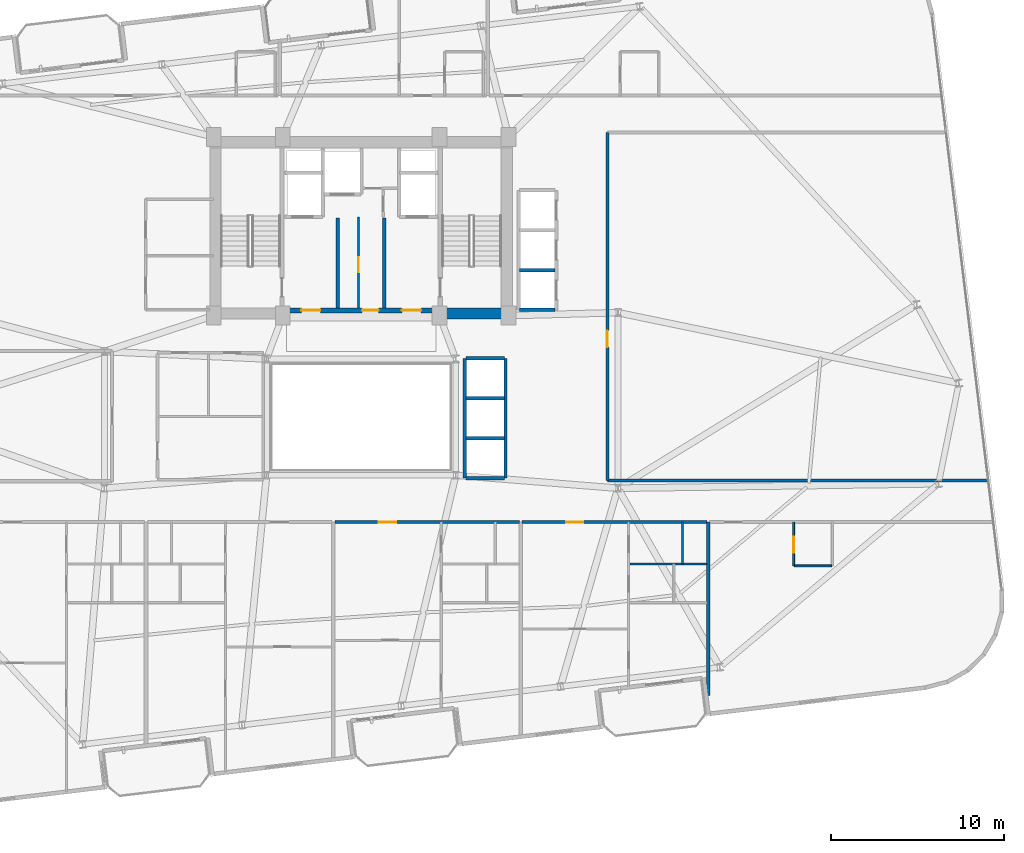
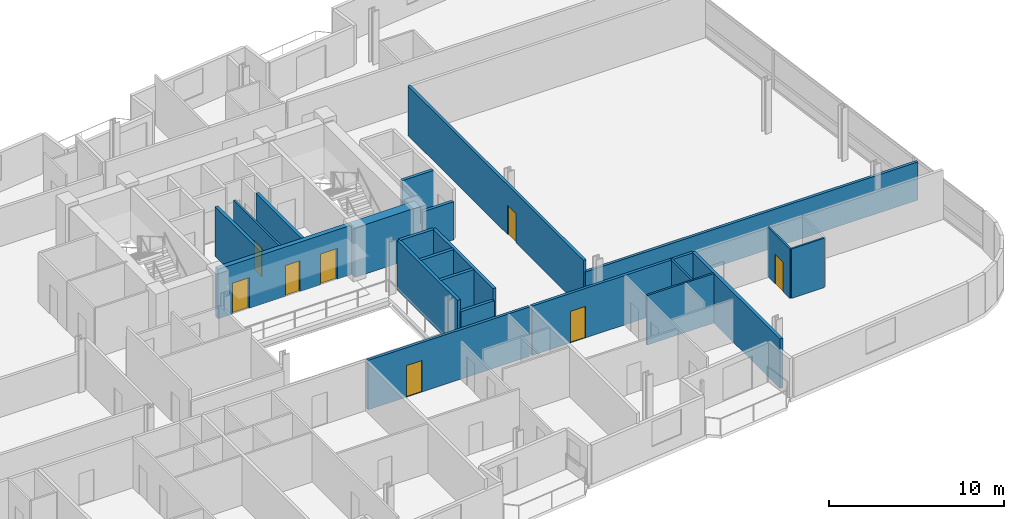
# One storey, part 16 of 23: 22 walls, 8 doors, 8 openings.
"""IFC4 building model written with IfcOpenShell, lengths in metres."""

from ifc_helpers import new_model, si_unit, direction, frame, frame_2d, origin, place, context, subcontext, project, spatial, rectangle, extrude, material, layer, layer_set, type_object, element, fill, save


model = new_model("IFC4")

# Units and contexts
model_context = context("Model", 3, precision=1e-05, world=origin(), true_north=direction((0.0, 1.0)))
body_context = subcontext(model_context, "Body", "Model", "MODEL_VIEW")
ifc_project = project(units=[si_unit("LENGTHUNIT", "METRE"), si_unit("AREAUNIT", "SQUARE_METRE"), si_unit("VOLUMEUNIT", "CUBIC_METRE"), si_unit("PLANEANGLEUNIT", "RADIAN"), si_unit("MASSUNIT", "GRAM", prefix="KILO")], contexts=[model_context])

# Site, building, storey
site_placement = place(None, origin())
site = spatial("IfcSite", under=ifc_project, at=site_placement, CompositionType="ELEMENT")
building_placement = place(site_placement, origin())
building = spatial("IfcBuilding", under=site, at=building_placement, Name="Varnelok Gate Tower", CompositionType="ELEMENT")
storey_placement = place(building_placement, frame((0.0, 0.0, 174.60009765625)))
storey = spatial("IfcBuildingStorey", under=building, at=storey_placement, Name="L44", CompositionType="ELEMENT", Elevation=174.60009765625)

# Wall, opening, door
ifc_material_1 = material(Name="Gypsum Plasterboard Acoustic Partition", Category="gypsum")
ifc_layer_1 = layer(ifc_material_1, 0.179931640625)
ifc_layer_set_1 = layer_set([ifc_layer_1], Name="Gypsum Plasterboard Acoustic Partition")
wall_type_1 = type_object("IfcWallType", Name="PW-CORR-180", PredefinedType="PARTITIONING", material=ifc_layer_set_1)
wall_1_placement = place(storey_placement, frame((37.679931640625, 16.85009765625, 0.0), z_axis=(0.0, 0.0, 1.0), x_axis=(1.0, 0.0, 0.0)))
wall_1 = element("IfcWall", 1, at=wall_1_placement, inside=storey, type_object=wall_type_1, Name="Interior Partition", PredefinedType="PARTITIONING", context=body_context, shape_type="SweptSolid", body=[
    extrude(rectangle(XDim=10.64013671875, YDim=0.179931640625, at=frame_2d((5.320068359375, 0.0))), origin(), (0.0, 0.0, 1.0), 3.449951171875),
])
opening_1_placement = place(wall_1_placement, frame((2.53466796875, 0.0, 0.0)))
opening_1 = element("IfcOpeningElement", 2, at=opening_1_placement, cuts=wall_1, Name="Opening D-AP", PredefinedType="OPENING", context=body_context, shape_type="SweptSolid", body=[
    extrude(rectangle(XDim=1.0, YDim=2.199951171875, at=frame_2d((0.5, 1.10009765625))), frame((0.0, 0.099853515625, 0.0), z_axis=(0.0, -1.0, 0.0), x_axis=(1.0, 0.0, 0.0)), (0.0, 0.0, 1.0), 0.199951171875),
])
ifc_material_2 = material(Name="Engineered Hardwood Timber", Category="wood")
door_type_1 = type_object("IfcDoorType", Name="DR-APT-1000", OperationType="NOTDEFINED", PredefinedType="DOOR", material=ifc_material_2)
door_1_placement = place(opening_1_placement, origin())
door_1 = element("IfcDoor", 3, at=door_1_placement, inside=storey, type_object=door_type_1, Name="L44 Apartment 4 Entrance Door", OperationType="SINGLE_SWING_LEFT", OverallHeight=2.199951171875, OverallWidth=1.0, PredefinedType="DOOR", context=body_context, shape_type="SweptSolid", body=[
    extrude(rectangle(XDim=1.0, YDim=2.199951171875, at=frame_2d((0.5, 1.10009765625))), frame((0.0, 0.02490234375, 0.0), z_axis=(0.0, -1.0, 0.0), x_axis=(1.0, 0.0, 0.0)), (0.0, 0.0, 1.0), 0.050048828125),
])
fill(opening_1, door_1)

wall_2_placement = place(storey_placement, frame((48.47998046875, 16.85009765625, 0.0), z_axis=(0.0, 0.0, 1.0), x_axis=(1.0, 0.0, 0.0)))
wall_2 = element("IfcWall", 4, at=wall_2_placement, inside=storey, type_object=wall_type_1, Name="Interior Partition", PredefinedType="PARTITIONING", context=body_context, shape_type="SweptSolid", body=[
    extrude(rectangle(XDim=10.64013671875, YDim=0.179931640625, at=frame_2d((5.320068359375, 0.0))), origin(), (0.0, 0.0, 1.0), 3.449951171875),
])
opening_2_placement = place(wall_2_placement, frame((2.53466796875, 0.0, 0.0)))
opening_2 = element("IfcOpeningElement", 5, at=opening_2_placement, cuts=wall_2, Name="Opening D-AP", PredefinedType="OPENING", context=body_context, shape_type="SweptSolid", body=[
    extrude(rectangle(XDim=1.0, YDim=2.199951171875, at=frame_2d((0.5, 1.10009765625))), frame((0.0, 0.099853515625, 0.0), z_axis=(0.0, -1.0, 0.0), x_axis=(1.0, 0.0, 0.0)), (0.0, 0.0, 1.0), 0.199951171875),
])
door_2_placement = place(opening_2_placement, origin())
door_2 = element("IfcDoor", 6, at=door_2_placement, inside=storey, type_object=door_type_1, Name="L44 Apartment 5 Entrance Door", OperationType="SINGLE_SWING_RIGHT", OverallHeight=2.199951171875, OverallWidth=1.0, PredefinedType="DOOR", context=body_context, shape_type="SweptSolid", body=[
    extrude(rectangle(XDim=1.0, YDim=2.199951171875, at=frame_2d((0.5, 1.10009765625))), frame((0.0, 0.02490234375, 0.0), z_axis=(0.0, -1.0, 0.0), x_axis=(1.0, 0.0, 0.0)), (0.0, 0.0, 1.0), 0.050048828125),
])
fill(opening_2, door_2)

wall_3_placement = place(storey_placement, frame((53.389892578125, 19.239990234375, 0.0), z_axis=(0.0, 0.0, 1.0), x_axis=(0.0, 1.0, 0.0)))
wall_3 = element("IfcWall", 7, at=wall_3_placement, inside=storey, type_object=wall_type_1, Name="Interior Partition", PredefinedType="PARTITIONING", context=body_context, shape_type="SweptSolid", body=[
    extrude(rectangle(XDim=20.06005859375, YDim=0.179931640625, at=frame_2d((10.030029296875, 0.0))), origin(), (0.0, 0.0, 1.0), 3.449951171875),
])
opening_3_placement = place(wall_3_placement, frame((7.699951171875, 0.0, 0.0)))
opening_3 = element("IfcOpeningElement", 8, at=opening_3_placement, cuts=wall_3, Name="Opening D-I2", PredefinedType="OPENING", context=body_context, shape_type="SweptSolid", body=[
    extrude(rectangle(XDim=0.949951171875, YDim=2.050048828125, at=frame_2d((0.47509765625, 1.02490234375))), frame((0.0, 0.099853515625, 0.0), z_axis=(0.0, -1.0, 0.0), x_axis=(1.0, 0.0, 0.0)), (0.0, 0.0, 1.0), 0.199951171875),
])
door_type_2 = type_object("IfcDoorType", Name="DR-INT-950", OperationType="NOTDEFINED", PredefinedType="DOOR", material=ifc_material_2)
door_3_placement = place(opening_3_placement, origin())
door_3 = element("IfcDoor", 9, at=door_3_placement, inside=storey, type_object=door_type_2, Name="L44 East Club Door", OperationType="SINGLE_SWING_RIGHT", OverallHeight=2.050048828125, OverallWidth=0.949951171875, PredefinedType="DOOR", context=body_context, shape_type="SweptSolid", body=[
    extrude(rectangle(XDim=0.949951171875, YDim=2.050048828125, at=frame_2d((0.47509765625, 1.02490234375))), frame((0.0, 0.02490234375, 0.0), z_axis=(0.0, -1.0, 0.0), x_axis=(1.0, 0.0, 0.0)), (0.0, 0.0, 1.0), 0.050048828125),
])
fill(opening_3, door_3)

# Walls
wall_4_placement = place(storey_placement, frame((53.389892578125, 19.239990234375, 0.0), z_axis=(0.0, 0.0, 1.0), x_axis=(1.0, 0.0, 0.0)))
element("IfcWall", 10, at=wall_4_placement, inside=storey, type_object=wall_type_1, Name="Interior Partition", PredefinedType="PARTITIONING", context=body_context, shape_type="SweptSolid", body=[
    extrude(rectangle(XDim=21.922119140625, YDim=0.179931640625, at=frame_2d((10.9609375, 0.0))), origin(), (0.0, 0.0, 1.0), 2.661865234375),
])
ifc_layer_2 = layer(ifc_material_1, 0.114990234375)
ifc_layer_set_2 = layer_set([ifc_layer_2], Name="Gypsum Plasterboard Acoustic Partition")
wall_type_2 = type_object("IfcWallType", Name="PW-ENS-125", PredefinedType="PARTITIONING", material=ifc_layer_set_2)
wall_5_placement = place(storey_placement, frame((64.169921875, 14.330078125, 0.0), z_axis=(0.0, 0.0, 1.0), x_axis=(1.0, 0.0, 0.0)))
element("IfcWall", 11, at=wall_5_placement, inside=storey, type_object=wall_type_2, Name="Interior Partition", PredefinedType="PARTITIONING", context=body_context, shape_type="SweptSolid", body=[
    extrude(rectangle(XDim=2.150146484375, YDim=0.114990234375, at=frame_2d((1.0751953125, 0.0))), origin(), (0.0, 0.0, 1.0), 3.449951171875),
])

# Wall, opening, door
wall_6_placement = place(storey_placement, frame((64.1298828125, 14.330078125, 0.0), z_axis=(0.0, 0.0, 1.0), x_axis=(0.0, 1.0, 0.0)))
wall_6 = element("IfcWall", 12, at=wall_6_placement, inside=storey, type_object=wall_type_2, Name="Interior Partition", PredefinedType="PARTITIONING", context=body_context, shape_type="SweptSolid", body=[
    extrude(rectangle(XDim=2.52001953125, YDim=0.114990234375, at=frame_2d((1.260009765625, 0.0))), origin(), (0.0, 0.0, 1.0), 3.449951171875),
])
opening_4_placement = place(wall_6_placement, frame((0.760009765625, 0.0, 0.0)))
opening_4 = element("IfcOpeningElement", 13, at=opening_4_placement, cuts=wall_6, Name="Opening D-WC", PredefinedType="OPENING", context=body_context, shape_type="SweptSolid", body=[
    extrude(rectangle(XDim=0.89990234375, YDim=2.050048828125, at=frame_2d((0.449951171875, 1.02490234375))), frame((0.0, 0.0673828125, 0.0), z_axis=(0.0, -1.0, 0.0), x_axis=(1.0, 0.0, 0.0)), (0.0, 0.0, 1.0), 0.135009765625),
])
door_type_3 = type_object("IfcDoorType", Name="DR-BATH-900", OperationType="NOTDEFINED", PredefinedType="DOOR", material=ifc_material_2)
door_4_placement = place(opening_4_placement, origin())
door_4 = element("IfcDoor", 14, at=door_4_placement, inside=storey, type_object=door_type_3, Name="L44 Guest En-Suite 06 Door", OperationType="SINGLE_SWING_RIGHT", OverallHeight=2.050048828125, OverallWidth=0.89990234375, PredefinedType="DOOR", context=body_context, shape_type="SweptSolid", body=[
    extrude(rectangle(XDim=0.89990234375, YDim=2.050048828125, at=frame_2d((0.449951171875, 1.02490234375))), frame((0.0, 0.02490234375, 0.0), z_axis=(0.0, -1.0, 0.0), x_axis=(1.0, 0.0, 0.0)), (0.0, 0.0, 1.0), 0.050048828125),
])
fill(opening_4, door_4)

# Walls
ifc_layer_3 = layer(ifc_material_1, 0.125)
ifc_layer_set_3 = layer_set([ifc_layer_3], Name="Gypsum Plasterboard Acoustic Partition")
wall_type_3 = type_object("IfcWallType", Name="PW-PART-125", PredefinedType="PARTITIONING", material=ifc_layer_set_3)
wall_7_placement = place(storey_placement, frame((54.689208984375, 14.43994140625, 0.0), z_axis=(0.0, 0.0, 1.0), x_axis=(1.0, 0.0, 0.0)))
element("IfcWall", 15, at=wall_7_placement, inside=storey, type_object=wall_type_3, Name="Interior Partition", PredefinedType="PARTITIONING", context=body_context, shape_type="SweptSolid", body=[
    extrude(rectangle(XDim=4.430908203125, YDim=0.125, at=frame_2d((2.21533203125, 0.0))), origin(), (0.0, 0.0, 1.0), 3.449951171875),
])
wall_8_placement = place(storey_placement, frame((57.729248046875, 14.43994140625, 0.0), z_axis=(0.0, 0.0, 1.0), x_axis=(0.0, 1.0, 0.0)))
element("IfcWall", 16, at=wall_8_placement, inside=storey, type_object=wall_type_3, Name="Interior Partition", PredefinedType="PARTITIONING", context=body_context, shape_type="SweptSolid", body=[
    extrude(rectangle(XDim=2.41015625, YDim=0.125, at=frame_2d((1.205078125, 0.0))), origin(), (0.0, 0.0, 1.0), 3.449951171875),
])

# Wall, opening, door
wall_9_placement = place(storey_placement, frame((39.050048828125, 29.199951171875, 0.0), z_axis=(0.0, 0.0, 1.0), x_axis=(0.0, 1.0, 0.0)))
wall_9 = element("IfcWall", 17, at=wall_9_placement, inside=storey, type_object=wall_type_3, Name="Interior Partition", PredefinedType="PARTITIONING", context=body_context, shape_type="SweptSolid", body=[
    extrude(rectangle(XDim=5.219970703125, YDim=0.125, at=frame_2d((2.60986328125, 0.0))), origin(), (0.0, 0.0, 1.0), 3.449951171875),
])
opening_5_placement = place(wall_9_placement, frame((2.050048828125, 0.0, 0.0)))
opening_5 = element("IfcOpeningElement", 18, at=opening_5_placement, cuts=wall_9, Name="Opening D-RS", PredefinedType="OPENING", context=body_context, shape_type="SweptSolid", body=[
    extrude(rectangle(XDim=0.85009765625, YDim=2.050048828125, at=frame_2d((0.425048828125, 1.02490234375))), frame((0.0, 0.072509765625, 0.0), z_axis=(0.0, -1.0, 0.0), x_axis=(1.0, 0.0, 0.0)), (0.0, 0.0, 1.0), 0.14501953125),
])
ifc_material_3 = material(Name="Galvanized Steel Grade S350GD", Category="steel")
door_type_4 = type_object("IfcDoorType", Name="DR-RISER-850", OperationType="NOTDEFINED", PredefinedType="DOOR", material=ifc_material_3)
door_5_placement = place(opening_5_placement, origin())
door_5 = element("IfcDoor", 19, at=door_5_placement, inside=storey, type_object=door_type_4, Name="L44 Housekeeping Linen Door", OperationType="SINGLE_SWING_LEFT", OverallHeight=2.050048828125, OverallWidth=0.85009765625, PredefinedType="DOOR", context=body_context, shape_type="SweptSolid", body=[
    extrude(rectangle(XDim=0.85009765625, YDim=2.050048828125, at=frame_2d((0.425048828125, 1.02490234375))), frame((0.0, 0.02490234375, 0.0), z_axis=(0.0, -1.0, 0.0), x_axis=(1.0, 0.0, 0.0)), (0.0, 0.0, 1.0), 0.050048828125),
])
fill(opening_5, door_5)

# Walls
ifc_layer_4 = layer(ifc_material_1, 0.205078125)
ifc_layer_set_4 = layer_set([ifc_layer_4], Name="Gypsum Plasterboard Acoustic Partition")
wall_type_4 = type_object("IfcWallType", Name="PW-PARTY-200", PredefinedType="PARTITIONING", material=ifc_layer_set_4)
wall_10_placement = place(storey_placement, frame((59.199951171875, 6.856201171875, 0.0), z_axis=(0.0, 0.0, 1.0), x_axis=(0.0, 1.0, 0.0)))
element("IfcWall", 20, at=wall_10_placement, inside=storey, type_object=wall_type_4, Name="L44 South Party Wall 5", PredefinedType="PARTITIONING", context=body_context, shape_type="SweptSolid", body=[
    extrude(rectangle(XDim=9.993896484375, YDim=0.205078125, at=frame_2d((4.9970703125, 0.0))), origin(), (0.0, 0.0, 1.0), 3.449951171875),
])
ifc_material_4 = material(Name="Concrete C35/45", Category="concrete")
ifc_layer_5 = layer(ifc_material_4, 0.199951171875)
ifc_layer_set_5 = layer_set([ifc_layer_5], Name="Concrete C35/45")
wall_type_5 = type_object("IfcWallType", Name="PW-SHAFT-200", PredefinedType="PARTITIONING", material=ifc_layer_set_5)
for number, where, z_axis, x_axis, name in (
    (21, (37.860107421875, 29.199951171875, 0.0), (0.0, 0.0, 1.0), (0.0, 1.0, 0.0), "L44 West FF Lobby Rated Wall"),
    (22, (40.5400390625, 29.199951171875, 0.0), (0.0, 0.0, 1.0), (0.0, 1.0, 0.0), "L44 East FF Lobby Rated Wall"),
):
    element("IfcWall", number, at=place(storey_placement, frame(where, z_axis=z_axis, x_axis=x_axis)), inside=storey, type_object=wall_type_5, Name=name, PredefinedType="PARTITIONING", context=body_context, shape_type="SweptSolid", body=[
        extrude(rectangle(XDim=5.179931640625, YDim=0.199951171875, at=frame_2d((2.58984375, 0.0))), origin(), (0.0, 0.0, 1.0), 3.449951171875),
    ])
wall_11_placement = place(storey_placement, frame((48.320068359375, 31.375, 0.0), z_axis=(0.0, 0.0, 1.0), x_axis=(1.0, 0.0, 0.0)))
element("IfcWall", 23, at=wall_11_placement, inside=storey, type_object=wall_type_5, Name="L44 PM1 Divider", PredefinedType="PARTITIONING", context=body_context, shape_type="SweptSolid", body=[
    extrude(rectangle(XDim=2.059814453125, YDim=0.199951171875, at=frame_2d((1.02978515625, 0.0))), origin(), (0.0, 0.0, 1.0), 3.449951171875),
])
wall_12_placement = place(storey_placement, frame((48.320068359375, 29.080078125, 0.0), z_axis=(0.0, 0.0, 1.0), x_axis=(1.0, 0.0, 0.0)))
element("IfcWall", 24, at=wall_12_placement, inside=storey, type_object=wall_type_5, Name="L44 PM Bank South Wall", PredefinedType="PARTITIONING", context=body_context, shape_type="SweptSolid", body=[
    extrude(rectangle(XDim=2.059814453125, YDim=0.199951171875, at=frame_2d((1.02978515625, 0.0))), origin(), (0.0, 0.0, 1.0), 2.661865234375),
])
for number, where, z_axis, x_axis, name in (
    (25, (45.239990234375, 21.675048828125, 0.0), (0.0, 0.0, 1.0), (1.0, 0.0, 0.0), "L44 PH1 Divider"),
    (26, (45.239990234375, 23.97509765625, 0.0), (0.0, 0.0, 1.0), (1.0, 0.0, 0.0), "L44 PH2 Divider"),
):
    element("IfcWall", number, at=place(storey_placement, frame(where, z_axis=z_axis, x_axis=x_axis)), inside=storey, type_object=wall_type_5, Name=name, PredefinedType="PARTITIONING", context=body_context, shape_type="SweptSolid", body=[
        extrude(rectangle(XDim=2.219970703125, YDim=0.199951171875, at=frame_2d((1.10986328125, 0.0))), origin(), (0.0, 0.0, 1.0), 3.449951171875),
    ])
wall_13_placement = place(storey_placement, frame((45.239990234375, 19.3798828125, 0.0), z_axis=(0.0, 0.0, 1.0), x_axis=(1.0, 0.0, 0.0)))
element("IfcWall", 27, at=wall_13_placement, inside=storey, type_object=wall_type_5, Name="L44 PH Bank South Wall", PredefinedType="PARTITIONING", context=body_context, shape_type="SweptSolid", body=[
    extrude(rectangle(XDim=2.219970703125, YDim=0.199951171875, at=frame_2d((1.10986328125, 0.0))), origin(), (0.0, 0.0, 1.0), 2.661865234375),
])
wall_14_placement = place(storey_placement, frame((45.239990234375, 26.280029296875, 0.0), z_axis=(0.0, 0.0, 1.0), x_axis=(1.0, 0.0, 0.0)))
element("IfcWall", 28, at=wall_14_placement, inside=storey, type_object=wall_type_5, Name="L44 PH Bank North Wall", PredefinedType="PARTITIONING", context=body_context, shape_type="SweptSolid", body=[
    extrude(rectangle(XDim=2.219970703125, YDim=0.199951171875, at=frame_2d((1.10986328125, 0.0))), origin(), (0.0, 0.0, 1.0), 3.449951171875),
])
for number, where, z_axis, x_axis, name in (
    (29, (45.179931640625, 19.3798828125, 0.0), (0.0, 0.0, 1.0), (0.0, 1.0, 0.0), "L44 PH Bank Atrium Wall"),
    (30, (47.52001953125, 19.3798828125, 0.0), (0.0, 0.0, 1.0), (0.0, 1.0, 0.0), "L44 PH Bank Front Wall"),
):
    element("IfcWall", number, at=place(storey_placement, frame(where, z_axis=z_axis, x_axis=x_axis)), inside=storey, type_object=wall_type_5, Name=name, PredefinedType="PARTITIONING", context=body_context, shape_type="SweptSolid", body=[
        extrude(rectangle(XDim=6.900146484375, YDim=0.199951171875, at=frame_2d((3.4501953125, 0.0))), origin(), (0.0, 0.0, 1.0), 3.449951171875),
    ])
ifc_material_5 = material(Name="Concrete C60/75", Category="concrete")
ifc_layer_6 = layer(ifc_material_5, 0.64990234375)
ifc_layer_set_6 = layer_set([ifc_layer_6], Name="Concrete C60/75")
wall_type_6 = type_object("IfcWallType", Name="SW-CORE-650", PredefinedType="SHEAR", material=ifc_layer_set_6)
wall_15_placement = place(storey_placement, frame((43.60009765625, 28.875, 0.0), z_axis=(0.0, 0.0, 1.0), x_axis=(1.0, 0.0, 0.0)))
element("IfcWall", 31, at=wall_15_placement, inside=storey, type_object=wall_type_6, Name="L44 Rear Core South-East Shear Wall", PredefinedType="SHEAR", context=body_context, shape_type="SweptSolid", body=[
    extrude(rectangle(XDim=4.31982421875, YDim=0.64990234375, at=frame_2d((2.159912109375, 0.0))), origin(), (0.0, 0.0, 1.0), 3.449951171875),
])

# Wall, openings, doors
ifc_layer_7 = layer(ifc_material_5, 0.300048828125)
ifc_layer_set_7 = layer_set([ifc_layer_7], Name="Concrete C60/75")
wall_type_7 = type_object("IfcWallType", Name="SW-SHAFT-300", PredefinedType="SHEAR", material=ifc_layer_set_7)
wall_16_placement = place(storey_placement, frame((34.800048828125, 29.050048828125, 0.0), z_axis=(0.0, 0.0, 1.0), x_axis=(1.0, 0.0, 0.0)))
wall_16 = element("IfcWall", 32, at=wall_16_placement, inside=storey, type_object=wall_type_7, Name="L44 Rear Core Central Lobby Shear Wall", PredefinedType="SHEAR", context=body_context, shape_type="SweptSolid", body=[
    extrude(rectangle(XDim=8.800048828125, YDim=0.300048828125, at=frame_2d((4.39990234375, 0.0))), origin(), (0.0, 0.0, 1.0), 3.449951171875),
])
opening_6_placement = place(wall_16_placement, frame((0.949951171875, 0.0, 0.0)))
opening_6 = element("IfcOpeningElement", 33, at=opening_6_placement, cuts=wall_16, Name="Opening D-FF", PredefinedType="OPENING", context=body_context, shape_type="SweptSolid", body=[
    extrude(rectangle(XDim=1.10009765625, YDim=2.14990234375, at=frame_2d((0.550048828125, 1.074951171875))), frame((0.0, 0.159912109375, 0.0), z_axis=(0.0, -1.0, 0.0), x_axis=(1.0, 0.0, 0.0)), (0.0, 0.0, 1.0), 0.320068359375),
])
opening_7_placement = place(wall_16_placement, frame((6.75, 0.0, 0.0)))
opening_7 = element("IfcOpeningElement", 34, at=opening_7_placement, cuts=wall_16, Name="Opening D-FF", PredefinedType="OPENING", context=body_context, shape_type="SweptSolid", body=[
    extrude(rectangle(XDim=1.10009765625, YDim=2.14990234375, at=frame_2d((0.550048828125, 1.074951171875))), frame((0.0, 0.159912109375, 0.0), z_axis=(0.0, -1.0, 0.0), x_axis=(1.0, 0.0, 0.0)), (0.0, 0.0, 1.0), 0.320068359375),
])
opening_8_placement = place(wall_16_placement, frame((4.449951171875, 0.0, 0.0)))
opening_8 = element("IfcOpeningElement", 35, at=opening_8_placement, cuts=wall_16, Name="Opening D-CR", PredefinedType="OPENING", context=body_context, shape_type="SweptSolid", body=[
    extrude(rectangle(XDim=0.949951171875, YDim=2.14990234375, at=frame_2d((0.47509765625, 1.074951171875))), frame((0.0, 0.159912109375, 0.0), z_axis=(0.0, -1.0, 0.0), x_axis=(1.0, 0.0, 0.0)), (0.0, 0.0, 1.0), 0.320068359375),
])
door_type_5 = type_object("IfcDoorType", Name="DR-CORR-950", OperationType="NOTDEFINED", PredefinedType="DOOR", material=ifc_material_3)
door_6_placement = place(opening_8_placement, origin())
door_6 = element("IfcDoor", 36, at=door_6_placement, inside=storey, type_object=door_type_5, Name="L44 Core Service Passage Door", OperationType="SINGLE_SWING_LEFT", OverallHeight=2.14990234375, OverallWidth=0.949951171875, PredefinedType="DOOR", context=body_context, shape_type="SweptSolid", body=[
    extrude(rectangle(XDim=0.949951171875, YDim=2.14990234375, at=frame_2d((0.47509765625, 1.074951171875))), frame((0.0, 0.02490234375, 0.0), z_axis=(0.0, -1.0, 0.0), x_axis=(1.0, 0.0, 0.0)), (0.0, 0.0, 1.0), 0.050048828125),
])
fill(opening_8, door_6)
door_type_6 = type_object("IfcDoorType", Name="DR-FFLOB-1100", OperationType="NOTDEFINED", PredefinedType="DOOR", material=ifc_material_3)
door_7_placement = place(opening_6_placement, origin())
door_7 = element("IfcDoor", 37, at=door_7_placement, inside=storey, type_object=door_type_6, Name="L44 West Firefighting Lobby Fire Door", OperationType="SINGLE_SWING_RIGHT", OverallHeight=2.14990234375, OverallWidth=1.10009765625, PredefinedType="DOOR", context=body_context, shape_type="SweptSolid", body=[
    extrude(rectangle(XDim=1.10009765625, YDim=2.14990234375, at=frame_2d((0.550048828125, 1.074951171875))), frame((0.0, 0.02490234375, 0.0), z_axis=(0.0, -1.0, 0.0), x_axis=(1.0, 0.0, 0.0)), (0.0, 0.0, 1.0), 0.050048828125),
])
fill(opening_6, door_7)
door_8_placement = place(opening_7_placement, origin())
door_8 = element("IfcDoor", 38, at=door_8_placement, inside=storey, type_object=door_type_6, Name="L44 East Firefighting Lobby Fire Door", OperationType="SINGLE_SWING_LEFT", OverallHeight=2.14990234375, OverallWidth=1.10009765625, PredefinedType="DOOR", context=body_context, shape_type="SweptSolid", body=[
    extrude(rectangle(XDim=1.10009765625, YDim=2.14990234375, at=frame_2d((0.550048828125, 1.074951171875))), frame((0.0, 0.02490234375, 0.0), z_axis=(0.0, -1.0, 0.0), x_axis=(1.0, 0.0, 0.0)), (0.0, 0.0, 1.0), 0.050048828125),
])
fill(opening_7, door_8)

save(model, "model.ifc")
